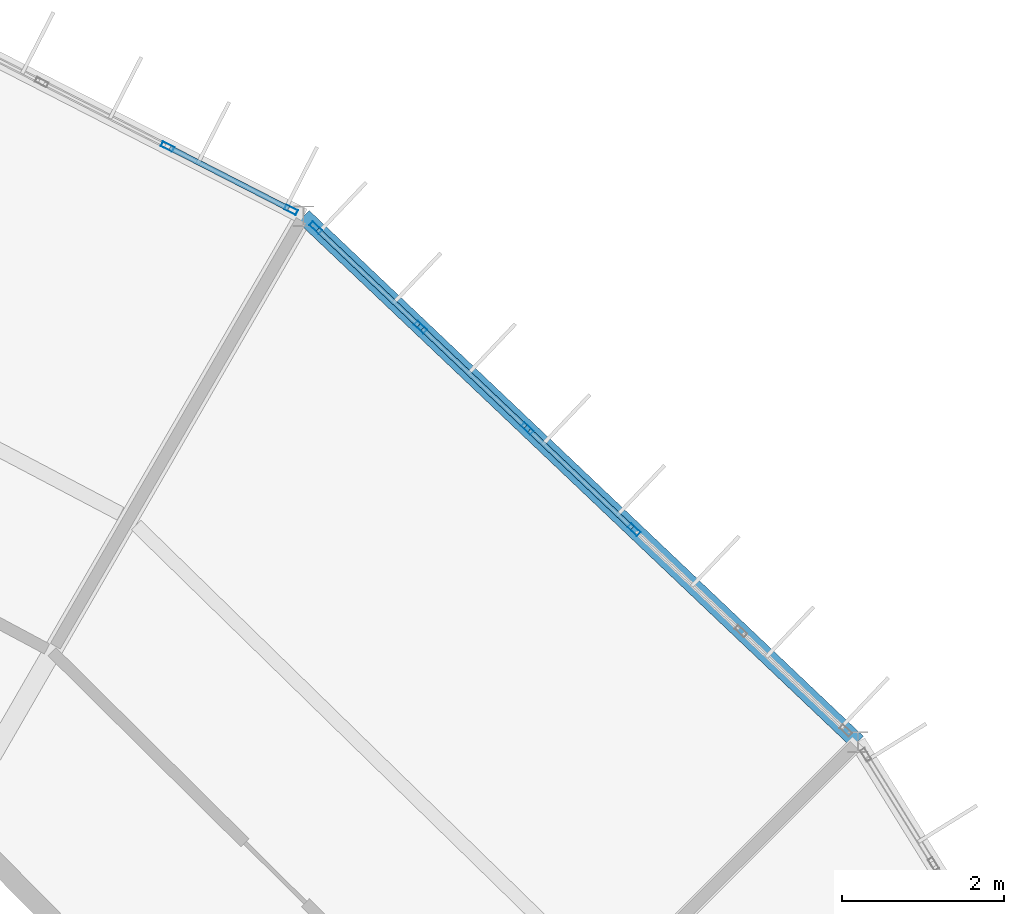
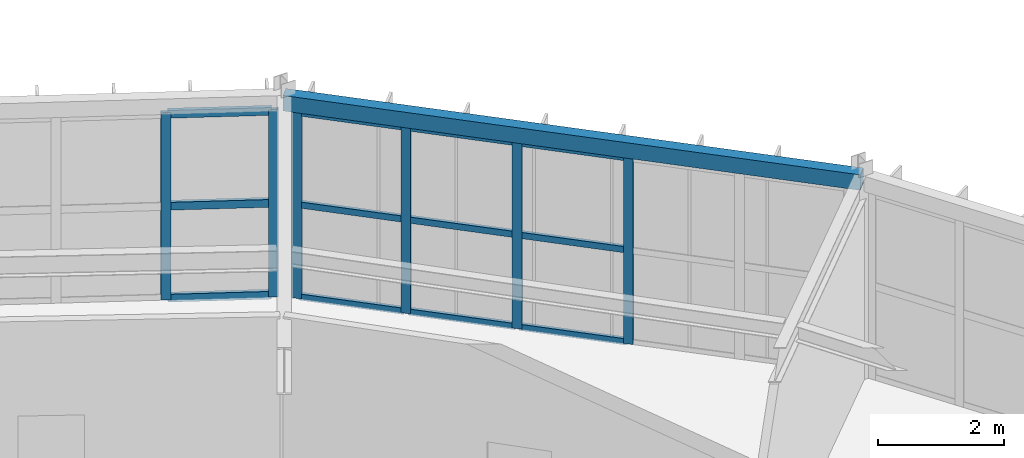
# One storey, part 102 of 157: 18 members, 1 beam, 2 elements without a shape of their own.
"""IFC4 building model written with IfcOpenShell, lengths in metres."""

from ifc_helpers import new_model, si_unit, direction, frame, origin, origin_2d, place, context, subcontext, project, spatial, hollow_rectangle, extrude, material, material_profile, profile_set, type_object, element, aggregate, save


model = new_model("IFC4")

# Units and contexts
model_context = context("Model", 3, precision=1e-05, world=origin(), true_north=direction((0.0, 1.0)))
body_context = subcontext(model_context, "Body", "Model", "MODEL_VIEW")
ifc_project = project(units=[si_unit("LENGTHUNIT", "METRE"), si_unit("AREAUNIT", "SQUARE_METRE"), si_unit("VOLUMEUNIT", "CUBIC_METRE"), si_unit("PLANEANGLEUNIT", "RADIAN"), si_unit("MASSUNIT", "GRAM", prefix="KILO")], contexts=[model_context])

# Site, building, storey
site_placement = place(None, origin())
site = spatial("IfcSite", under=ifc_project, at=site_placement, CompositionType="ELEMENT")
building_placement = place(site_placement, origin())
building = spatial("IfcBuilding", under=site, at=building_placement, Name="Karori Crest Natural Sciences Institute", CompositionType="ELEMENT")
storey_placement = place(building_placement, frame((0.0, 0.0, 13.300048828125)))
storey = spatial("IfcBuildingStorey", under=building, at=storey_placement, Name="L03", CompositionType="ELEMENT", Elevation=13.300048828125)

# Beam
ifc_material_1 = material(Name="Hollow structural steel AS/NZS 1163 Grade C350", Category="steel")
ifc_material_profile_1 = material_profile(ifc_material_1, hollow_rectangle(XDim=0.199951171875, YDim=0.300048828125, WallThickness=0.010009765625, at=origin_2d()), Name="RHS300x200x10")
ifc_profile_set_1 = profile_set([ifc_material_profile_1], Name="Hollow structural steel AS/NZS 1163 Grade C350")
beam_type = type_object("IfcBeamType", Name="BT-15", PredefinedType="SPANDREL", material=ifc_profile_set_1)
beam_placement = place(storey_placement, frame((89.734619140625, 78.75, 3.7900390625), z_axis=(-0.725481282589, 0.688241896874, 0.0), x_axis=(-0.688241896874, -0.725481282589, 0.0)))
element("IfcBeam", 1, at=beam_placement, inside=storey, type_object=beam_type, Name="Beam B-0371", PredefinedType="SPANDREL", context=body_context, shape_type="SweptSolid", body=[
    extrude(hollow_rectangle(XDim=0.199951171875, YDim=0.300048828125, WallThickness=0.010009765625, at=origin_2d()), origin(), (0.0, 0.0, 1.0), 9.4208984375),
])

# Curtain wall, members
ifc_material_2 = material(Name="Anodised architectural aluminium 6063-T6", Category="aluminium")
curtain_wall_type_1 = type_object("IfcCurtainWallType", Name="CWT-04", PredefinedType="NOTDEFINED", material=ifc_material_2)
curtain_wall_1_placement = place(storey_placement, origin())
curtain_wall_1 = element("IfcCurtainWall", 2, at=curtain_wall_1_placement, inside=storey, type_object=curtain_wall_type_1, Name="Curtain wall CW-0105", PredefinedType="NOTDEFINED")
ifc_material_profile_2 = material_profile(ifc_material_2, hollow_rectangle(XDim=0.06494140625, YDim=0.159912109375, WallThickness=0.00390625, at=origin_2d()), Name="CWM160x65x4")
ifc_profile_set_2 = profile_set([ifc_material_profile_2], Name="Anodised architectural aluminium 6063-T6")
member_type_1 = type_object("IfcMemberType", Name="CWM-01", PredefinedType="MULLION", material=ifc_profile_set_2)
member_1_placement = place(storey_placement, frame((83.049072265625, 85.09228515625, 0.0), z_axis=(0.0, 0.0, 1.0), x_axis=(0.688252251648, 0.725471459192, 0.0)))
member_1 = element("IfcMember", 3, at=member_1_placement, type_object=member_type_1, Name="CW-0105 mullion 1", PredefinedType="MULLION", context=body_context, shape_type="SweptSolid", body=[
    extrude(hollow_rectangle(XDim=0.06494140625, YDim=0.159912109375, WallThickness=0.00390625, at=origin_2d()), origin(), (0.0, 0.0, 1.0), 3.625),
])
member_2_placement = place(storey_placement, frame((84.342041015625, 83.86572265625, 0.0), z_axis=(0.0, 0.0, 1.0), x_axis=(0.688252251648, 0.725471459192, 0.0)))
member_2 = element("IfcMember", 4, at=member_2_placement, type_object=member_type_1, Name="CW-0105 mullion 2", PredefinedType="MULLION", context=body_context, shape_type="SweptSolid", body=[
    extrude(hollow_rectangle(XDim=0.06494140625, YDim=0.159912109375, WallThickness=0.00390625, at=origin_2d()), origin(), (0.0, 0.0, 1.0), 3.625),
])
member_3_placement = place(storey_placement, frame((85.658447265625, 82.61669921875, 0.0), z_axis=(0.0, 0.0, 1.0), x_axis=(0.688252251648, 0.725471459192, 0.0)))
member_3 = element("IfcMember", 5, at=member_3_placement, type_object=member_type_1, Name="CW-0105 mullion 3", PredefinedType="MULLION", context=body_context, shape_type="SweptSolid", body=[
    extrude(hollow_rectangle(XDim=0.06494140625, YDim=0.159912109375, WallThickness=0.00390625, at=origin_2d()), origin(), (0.0, 0.0, 1.0), 3.625),
])
member_4_placement = place(storey_placement, frame((86.97509765625, 81.367919921875, 0.0), z_axis=(0.0, 0.0, 1.0), x_axis=(0.688252251648, 0.725471459192, 0.0)))
member_4 = element("IfcMember", 6, at=member_4_placement, type_object=member_type_1, Name="CW-0105 mullion 4", PredefinedType="MULLION", context=body_context, shape_type="SweptSolid", body=[
    extrude(hollow_rectangle(XDim=0.06494140625, YDim=0.159912109375, WallThickness=0.00390625, at=origin_2d()), origin(), (0.0, 0.0, 1.0), 3.625),
])

curtain_wall_type_2 = type_object("IfcCurtainWallType", Name="CWT-05", PredefinedType="NOTDEFINED", material=ifc_material_2)
curtain_wall_2_placement = place(storey_placement, origin())
curtain_wall_2 = element("IfcCurtainWall", 7, at=curtain_wall_2_placement, inside=storey, type_object=curtain_wall_type_2, Name="Curtain wall CW-0106", PredefinedType="NOTDEFINED")
member_5_placement = place(storey_placement, frame((81.22314453125, 86.092529296875, 0.0), z_axis=(0.0, 0.0, 1.0), x_axis=(0.455828878252, 0.890067432138, 0.0)))
member_5 = element("IfcMember", 8, at=member_5_placement, type_object=member_type_1, Name="CW-0106 mullion 5", PredefinedType="MULLION", context=body_context, shape_type="SweptSolid", body=[
    extrude(hollow_rectangle(XDim=0.06494140625, YDim=0.159912109375, WallThickness=0.00390625, at=origin_2d()), origin(), (0.0, 0.0, 1.0), 3.625),
])
member_6_placement = place(storey_placement, frame((82.745849609375, 85.312744140625, 0.0), z_axis=(0.0, 0.0, 1.0), x_axis=(0.455828878252, 0.890067432138, 0.0)))
member_6 = element("IfcMember", 9, at=member_6_placement, type_object=member_type_1, Name="CW-0106 mullion 6", PredefinedType="MULLION", context=body_context, shape_type="SweptSolid", body=[
    extrude(hollow_rectangle(XDim=0.06494140625, YDim=0.159912109375, WallThickness=0.00390625, at=origin_2d()), origin(), (0.0, 0.0, 1.0), 3.625),
])

# Member
ifc_material_profile_3 = material_profile(ifc_material_2, hollow_rectangle(XDim=0.06005859375, YDim=0.1201171875, WallThickness=0.00390625, at=origin_2d()), Name="CWT120x60x4")
ifc_profile_set_3 = profile_set([ifc_material_profile_3], Name="Anodised architectural aluminium 6063-T6")
member_type_2 = type_object("IfcMemberType", Name="CWT-TR1", PredefinedType="USERDEFINED", material=ifc_profile_set_3)
member_7_placement = place(storey_placement, frame((83.07275390625, 85.070068359375, 0.030029296875), z_axis=(0.725485539939, -0.68823740914, 0.0), x_axis=(0.68823740914, 0.725485539939, 0.0)))
member_7 = element("IfcMember", 10, at=member_7_placement, type_object=member_type_2, Name="CW-0105 transom 1.1", ObjectType="TRANSOM", PredefinedType="USERDEFINED", context=body_context, shape_type="SweptSolid", body=[
    extrude(hollow_rectangle(XDim=0.06005859375, YDim=0.1201171875, WallThickness=0.00390625, at=origin_2d()), origin(), (0.0, 0.0, 1.0), 1.71728515625),
])

member_8_placement = place(storey_placement, frame((83.07275390625, 85.070068359375, 1.8125), z_axis=(0.725485539939, -0.68823740914, 0.0), x_axis=(0.68823740914, 0.725485539939, 0.0)))
member_8 = element("IfcMember", 11, at=member_8_placement, type_object=member_type_2, Name="CW-0105 transom 1.2", ObjectType="TRANSOM", PredefinedType="USERDEFINED", context=body_context, shape_type="SweptSolid", body=[
    extrude(hollow_rectangle(XDim=0.06005859375, YDim=0.1201171875, WallThickness=0.00390625, at=origin_2d()), origin(), (0.0, 0.0, 1.0), 1.71728515625),
])

member_9_placement = place(storey_placement, frame((83.07275390625, 85.070068359375, 3.594970703125), z_axis=(0.725485539939, -0.68823740914, 0.0), x_axis=(0.68823740914, 0.725485539939, 0.0)))
member_9 = element("IfcMember", 12, at=member_9_placement, type_object=member_type_2, Name="CW-0105 transom 1.3", ObjectType="TRANSOM", PredefinedType="USERDEFINED", context=body_context, shape_type="SweptSolid", body=[
    extrude(hollow_rectangle(XDim=0.06005859375, YDim=0.1201171875, WallThickness=0.00390625, at=origin_2d()), origin(), (0.0, 0.0, 1.0), 1.71728515625),
])

member_10_placement = place(storey_placement, frame((84.36572265625, 83.843505859375, 0.030029296875), z_axis=(0.725420823959, -0.688305621194, 0.0), x_axis=(0.688305621194, 0.725420823959, 0.0)))
member_10 = element("IfcMember", 13, at=member_10_placement, type_object=member_type_2, Name="CW-0105 transom 2.1", ObjectType="TRANSOM", PredefinedType="USERDEFINED", context=body_context, shape_type="SweptSolid", body=[
    extrude(hollow_rectangle(XDim=0.06005859375, YDim=0.1201171875, WallThickness=0.00390625, at=origin_2d()), origin(), (0.0, 0.0, 1.0), 1.749755859375),
])

member_11_placement = place(storey_placement, frame((84.36572265625, 83.843505859375, 1.8125), z_axis=(0.725420823959, -0.688305621194, 0.0), x_axis=(0.688305621194, 0.725420823959, 0.0)))
member_11 = element("IfcMember", 14, at=member_11_placement, type_object=member_type_2, Name="CW-0105 transom 2.2", ObjectType="TRANSOM", PredefinedType="USERDEFINED", context=body_context, shape_type="SweptSolid", body=[
    extrude(hollow_rectangle(XDim=0.06005859375, YDim=0.1201171875, WallThickness=0.00390625, at=origin_2d()), origin(), (0.0, 0.0, 1.0), 1.749755859375),
])

member_12_placement = place(storey_placement, frame((84.36572265625, 83.843505859375, 3.594970703125), z_axis=(0.725420823959, -0.688305621194, 0.0), x_axis=(0.688305621194, 0.725420823959, 0.0)))
member_12 = element("IfcMember", 15, at=member_12_placement, type_object=member_type_2, Name="CW-0105 transom 2.3", ObjectType="TRANSOM", PredefinedType="USERDEFINED", context=body_context, shape_type="SweptSolid", body=[
    extrude(hollow_rectangle(XDim=0.06005859375, YDim=0.1201171875, WallThickness=0.00390625, at=origin_2d()), origin(), (0.0, 0.0, 1.0), 1.749755859375),
])

member_13_placement = place(storey_placement, frame((85.68212890625, 82.594482421875, 0.030029296875), z_axis=(0.725420823959, -0.688305621194, 0.0), x_axis=(0.688305621194, 0.725420823959, 0.0)))
member_13 = element("IfcMember", 16, at=member_13_placement, type_object=member_type_2, Name="CW-0105 transom 3.1", ObjectType="TRANSOM", PredefinedType="USERDEFINED", context=body_context, shape_type="SweptSolid", body=[
    extrude(hollow_rectangle(XDim=0.06005859375, YDim=0.1201171875, WallThickness=0.00390625, at=origin_2d()), origin(), (0.0, 0.0, 1.0), 1.749755859375),
])

member_14_placement = place(storey_placement, frame((85.68212890625, 82.594482421875, 1.8125), z_axis=(0.725420823959, -0.688305621194, 0.0), x_axis=(0.688305621194, 0.725420823959, 0.0)))
member_14 = element("IfcMember", 17, at=member_14_placement, type_object=member_type_2, Name="CW-0105 transom 3.2", ObjectType="TRANSOM", PredefinedType="USERDEFINED", context=body_context, shape_type="SweptSolid", body=[
    extrude(hollow_rectangle(XDim=0.06005859375, YDim=0.1201171875, WallThickness=0.00390625, at=origin_2d()), origin(), (0.0, 0.0, 1.0), 1.749755859375),
])

member_15_placement = place(storey_placement, frame((85.68212890625, 82.594482421875, 3.594970703125), z_axis=(0.725420823959, -0.688305621194, 0.0), x_axis=(0.688305621194, 0.725420823959, 0.0)))
member_15 = element("IfcMember", 18, at=member_15_placement, type_object=member_type_2, Name="CW-0105 transom 3.3", ObjectType="TRANSOM", PredefinedType="USERDEFINED", context=body_context, shape_type="SweptSolid", body=[
    extrude(hollow_rectangle(XDim=0.06005859375, YDim=0.1201171875, WallThickness=0.00390625, at=origin_2d()), origin(), (0.0, 0.0, 1.0), 1.749755859375),
])

aggregate(curtain_wall_1, [member_1, member_2, member_3, member_4, member_7, member_8, member_9, member_10, member_11, member_12, member_13, member_14, member_15])

ifc_material_profile_4 = material_profile(ifc_material_2, hollow_rectangle(XDim=0.06494140625, YDim=0.14990234375, WallThickness=0.00390625, at=origin_2d()), Name="CWT150x65x4")
ifc_profile_set_4 = profile_set([ifc_material_profile_4], Name="Anodised architectural aluminium 6063-T6")
member_type_3 = type_object("IfcMemberType", Name="CWT-TR2", PredefinedType="USERDEFINED", material=ifc_profile_set_4)
member_16_placement = place(storey_placement, frame((81.251953125, 86.077880859375, 0.032470703125), z_axis=(0.890084461025, -0.455795625518, 0.0), x_axis=(0.455795625518, 0.890084461025, 0.0)))
member_16 = element("IfcMember", 19, at=member_16_placement, type_object=member_type_3, Name="CW-0106 transom 5.1", ObjectType="TRANSOM", PredefinedType="USERDEFINED", context=body_context, shape_type="SweptSolid", body=[
    extrude(hollow_rectangle(XDim=0.06494140625, YDim=0.14990234375, WallThickness=0.00390625, at=origin_2d()), origin(), (0.0, 0.0, 1.0), 1.64599609375),
])

member_17_placement = place(storey_placement, frame((81.251953125, 86.077880859375, 1.8125), z_axis=(0.890084461025, -0.455795625518, 0.0), x_axis=(0.455795625518, 0.890084461025, 0.0)))
member_17 = element("IfcMember", 20, at=member_17_placement, type_object=member_type_3, Name="CW-0106 transom 5.2", ObjectType="TRANSOM", PredefinedType="USERDEFINED", context=body_context, shape_type="SweptSolid", body=[
    extrude(hollow_rectangle(XDim=0.06494140625, YDim=0.14990234375, WallThickness=0.00390625, at=origin_2d()), origin(), (0.0, 0.0, 1.0), 1.64599609375),
])

member_18_placement = place(storey_placement, frame((81.251953125, 86.077880859375, 3.592529296875), z_axis=(0.890084461025, -0.455795625518, 0.0), x_axis=(0.455795625518, 0.890084461025, 0.0)))
member_18 = element("IfcMember", 21, at=member_18_placement, type_object=member_type_3, Name="CW-0106 transom 5.3", ObjectType="TRANSOM", PredefinedType="USERDEFINED", context=body_context, shape_type="SweptSolid", body=[
    extrude(hollow_rectangle(XDim=0.06494140625, YDim=0.14990234375, WallThickness=0.00390625, at=origin_2d()), origin(), (0.0, 0.0, 1.0), 1.64599609375),
])

aggregate(curtain_wall_2, [member_5, member_6, member_16, member_17, member_18])

save(model, "model.ifc")
